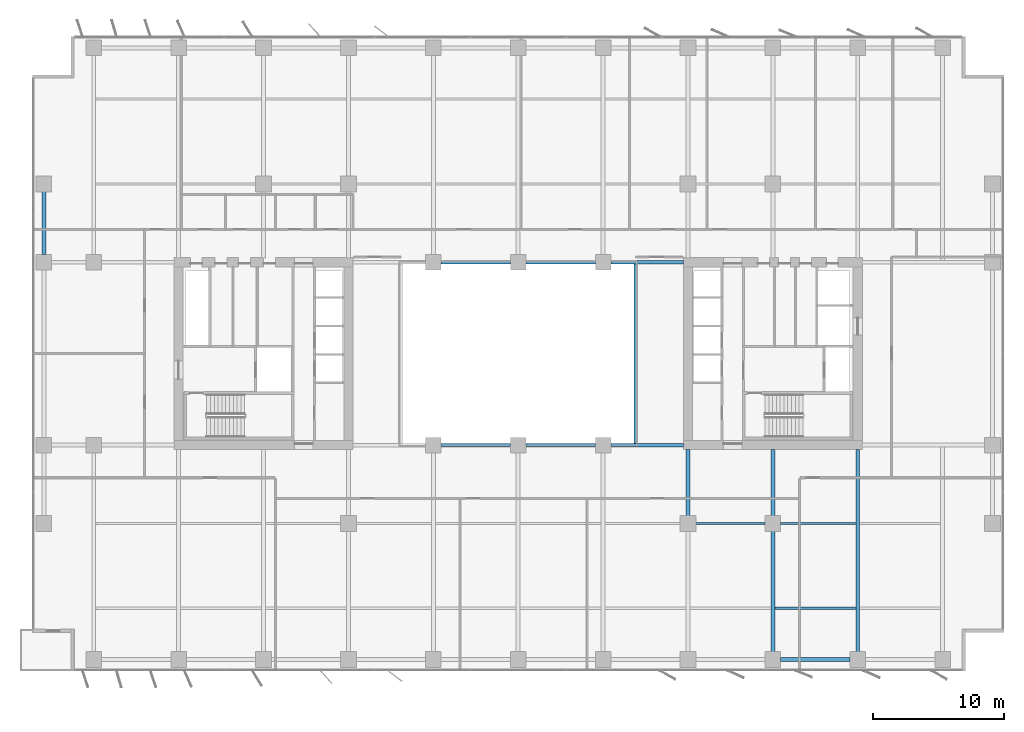
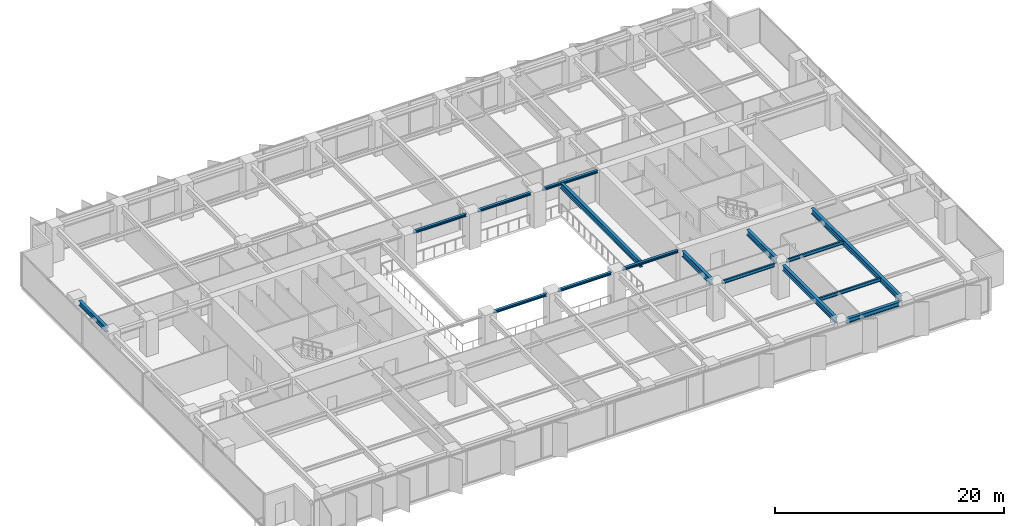
# One storey, part 6 of 20: 16 beams.
"""IFC4 building model written with IfcOpenShell, lengths in metres."""

from ifc_helpers import new_model, si_unit, direction, frame, origin, origin_2d, place, context, subcontext, project, spatial, i_section, extrude, material, material_profile, profile_set, type_object, element, save


model = new_model("IFC4")

# Units and contexts
model_context = context("Model", 3, precision=1e-05, world=origin(), true_north=direction((0.0, 1.0)))
body_context = subcontext(model_context, "Body", "Model", "MODEL_VIEW")
ifc_project = project(units=[si_unit("LENGTHUNIT", "METRE"), si_unit("AREAUNIT", "SQUARE_METRE"), si_unit("VOLUMEUNIT", "CUBIC_METRE"), si_unit("PLANEANGLEUNIT", "RADIAN"), si_unit("MASSUNIT", "GRAM", prefix="KILO")], contexts=[model_context])

# Site, building, storey
site_placement = place(None, origin())
site = spatial("IfcSite", under=ifc_project, at=site_placement, CompositionType="ELEMENT")
building_placement = place(site_placement, origin())
building = spatial("IfcBuilding", under=site, at=building_placement, Name="Putna Gate Headquarters", CompositionType="ELEMENT")
storey_placement = place(building_placement, frame((0.0, 0.0, 105.0)))
storey = spatial("IfcBuildingStorey", under=building, at=storey_placement, Name="L25", CompositionType="ELEMENT", Elevation=105.0)

# Beams
ifc_material = material(Name="Steel S355J2", Category="steel")
ifc_material_profile_1 = material_profile(ifc_material, i_section(OverallWidth=0.260009765625, OverallDepth=0.260009765625, WebThickness=0.010009765625, FlangeThickness=0.017578125, at=origin_2d()), Name="Steel S355J2")
ifc_profile_set_1 = profile_set([ifc_material_profile_1], Name="Steel S355J2")
beam_type_1 = type_object("IfcBeamType", Name="BM-ATRIUM-HEB260", PredefinedType="BEAM", material=ifc_profile_set_1)
for number, where, z_axis, x_axis, name in (
    (1, (33.087890625, 19.0, 3.43505859375), (1.0, 0.0, 0.0), (0.0, 1.0, 0.0), "L25 Atrium Edge Beam AS2"),
    (2, (39.587890625, 19.0, 3.43505859375), (1.0, 0.0, 0.0), (0.0, 1.0, 0.0), "L25 Atrium Edge Beam AS3"),
):
    element("IfcBeam", number, at=place(storey_placement, frame(where, z_axis=z_axis, x_axis=x_axis)), inside=storey, type_object=beam_type_1, Name=name, PredefinedType="BEAM", context=body_context, shape_type="SweptSolid", body=[
        extrude(i_section(OverallWidth=0.260009765625, OverallDepth=0.260009765625, WebThickness=0.010009765625, FlangeThickness=0.017578125, at=origin_2d()), origin(), (0.0, 0.0, 1.0), 5.32421875),
    ])
beam_1_placement = place(storey_placement, frame((46.087890625, 19.0, 3.43505859375), z_axis=(1.0, 0.0, 0.0), x_axis=(0.0, 1.0, 0.0)))
element("IfcBeam", 3, at=beam_1_placement, inside=storey, type_object=beam_type_1, Name="L25 Atrium Edge Beam AS4", PredefinedType="BEAM", context=body_context, shape_type="SweptSolid", body=[
    extrude(i_section(OverallWidth=0.260009765625, OverallDepth=0.260009765625, WebThickness=0.010009765625, FlangeThickness=0.017578125, at=origin_2d()), origin(), (0.0, 0.0, 1.0), 5.5771484375),
])
for number, where, z_axis, x_axis, name in (
    (4, (33.087890625, 33.0, 3.43505859375), (1.0, 0.0, 0.0), (0.0, 1.0, 0.0), "L25 Atrium Edge Beam AN2"),
    (5, (39.587890625, 33.0, 3.43505859375), (1.0, 0.0, 0.0), (0.0, 1.0, 0.0), "L25 Atrium Edge Beam AN3"),
):
    element("IfcBeam", number, at=place(storey_placement, frame(where, z_axis=z_axis, x_axis=x_axis)), inside=storey, type_object=beam_type_1, Name=name, PredefinedType="BEAM", context=body_context, shape_type="SweptSolid", body=[
        extrude(i_section(OverallWidth=0.260009765625, OverallDepth=0.260009765625, WebThickness=0.010009765625, FlangeThickness=0.017578125, at=origin_2d()), origin(), (0.0, 0.0, 1.0), 5.32421875),
    ])
beam_2_placement = place(storey_placement, frame((46.087890625, 33.0, 3.43505859375), z_axis=(1.0, 0.0, 0.0), x_axis=(0.0, 1.0, 0.0)))
element("IfcBeam", 6, at=beam_2_placement, inside=storey, type_object=beam_type_1, Name="L25 Atrium Edge Beam AN4", PredefinedType="BEAM", context=body_context, shape_type="SweptSolid", body=[
    extrude(i_section(OverallWidth=0.260009765625, OverallDepth=0.260009765625, WebThickness=0.010009765625, FlangeThickness=0.017578125, at=origin_2d()), origin(), (0.0, 0.0, 1.0), 5.5771484375),
])
ifc_material_profile_2 = material_profile(ifc_material, i_section(OverallWidth=0.300048828125, OverallDepth=0.60009765625, WebThickness=0.015380859375, FlangeThickness=0.030029296875, at=origin_2d()), Name="Steel S355J2")
ifc_profile_set_2 = profile_set([ifc_material_profile_2], Name="Steel S355J2")
beam_type_2 = type_object("IfcBeamType", Name="BM-GIRD-Z2-HEB600", PredefinedType="USERDEFINED", material=ifc_profile_set_2)
beam_3_placement = place(storey_placement, frame((52.0, 13.587890625, 3.264892578125), z_axis=(0.0, 1.0, 0.0), x_axis=(-1.0, 0.0, 0.0)))
element("IfcBeam", 7, at=beam_3_placement, inside=storey, type_object=beam_type_2, Name="L25 South Primary Girder X52-2", ObjectType="GIRDER", PredefinedType="USERDEFINED", context=body_context, shape_type="SweptSolid", body=[
    extrude(i_section(OverallWidth=0.300048828125, OverallDepth=0.60009765625, WebThickness=0.015380859375, FlangeThickness=0.030029296875, at=origin_2d()), origin(), (0.0, 0.0, 1.0), 5.0771484375),
])
beam_4_placement = place(storey_placement, frame((58.5, 3.16796875, 3.264892578125), z_axis=(0.0, 1.0, 0.0), x_axis=(-1.0, 0.0, 0.0)))
element("IfcBeam", 8, at=beam_4_placement, inside=storey, type_object=beam_type_2, Name="L25 South Primary Girder X58-1", ObjectType="GIRDER", PredefinedType="USERDEFINED", context=body_context, shape_type="SweptSolid", body=[
    extrude(i_section(OverallWidth=0.300048828125, OverallDepth=0.60009765625, WebThickness=0.015380859375, FlangeThickness=0.030029296875, at=origin_2d()), origin(), (0.0, 0.0, 1.0), 9.244140625),
])
beam_5_placement = place(storey_placement, frame((58.5, 13.587890625, 3.264892578125), z_axis=(0.0, 1.0, 0.0), x_axis=(-1.0, 0.0, 0.0)))
element("IfcBeam", 9, at=beam_5_placement, inside=storey, type_object=beam_type_2, Name="L25 South Primary Girder X58-2", ObjectType="GIRDER", PredefinedType="USERDEFINED", context=body_context, shape_type="SweptSolid", body=[
    extrude(i_section(OverallWidth=0.300048828125, OverallDepth=0.60009765625, WebThickness=0.015380859375, FlangeThickness=0.030029296875, at=origin_2d()), origin(), (0.0, 0.0, 1.0), 5.0771484375),
])
beam_6_placement = place(storey_placement, frame((65.0, 3.16796875, 3.264892578125), z_axis=(0.0, 1.0, 0.0), x_axis=(-1.0, 0.0, 0.0)))
element("IfcBeam", 10, at=beam_6_placement, inside=storey, type_object=beam_type_2, Name="L25 South Primary Girder X65", ObjectType="GIRDER", PredefinedType="USERDEFINED", context=body_context, shape_type="SweptSolid", body=[
    extrude(i_section(OverallWidth=0.300048828125, OverallDepth=0.60009765625, WebThickness=0.015380859375, FlangeThickness=0.030029296875, at=origin_2d()), origin(), (0.0, 0.0, 1.0), 15.4970703125),
])
beam_7_placement = place(storey_placement, frame((48.0, 19.010009765625, 3.264892578125), z_axis=(0.0, 1.0, 0.0), x_axis=(-1.0, 0.0, 0.0)))
element("IfcBeam", 11, at=beam_7_placement, inside=storey, type_object=beam_type_2, Name="L25 Atrium Trim Girder AE", ObjectType="GIRDER", PredefinedType="USERDEFINED", context=body_context, shape_type="SweptSolid", body=[
    extrude(i_section(OverallWidth=0.300048828125, OverallDepth=0.60009765625, WebThickness=0.015380859375, FlangeThickness=0.030029296875, at=origin_2d()), origin(), (0.0, 0.0, 1.0), 13.97998046875),
])
ifc_material_profile_3 = material_profile(ifc_material, i_section(OverallWidth=0.169921875, OverallDepth=0.360107421875, WebThickness=0.008056640625, FlangeThickness=0.0126953125, at=origin_2d()), Name="Steel S355J2")
ifc_profile_set_3 = profile_set([ifc_material_profile_3], Name="Steel S355J2")
beam_type_3 = type_object("IfcBeamType", Name="BM-SEC-Z2-IPE360", PredefinedType="BEAM", material=ifc_profile_set_3)
beam_8_placement = place(storey_placement, frame((52.587890625, 13.0, 3.385009765625), z_axis=(1.0, 0.0, 0.0), x_axis=(0.0, 1.0, 0.0)))
element("IfcBeam", 12, at=beam_8_placement, inside=storey, type_object=beam_type_3, Name="L25 South Secondary Beam 8", PredefinedType="BEAM", context=body_context, shape_type="SweptSolid", body=[
    extrude(i_section(OverallWidth=0.169921875, OverallDepth=0.360107421875, WebThickness=0.008056640625, FlangeThickness=0.0126953125, at=origin_2d()), origin(), (0.0, 0.0, 1.0), 5.32421875),
])
beam_9_placement = place(storey_placement, frame((58.654052734375, 6.5, 3.385009765625), z_axis=(1.0, 0.0, 0.0), x_axis=(0.0, 1.0, 0.0)))
element("IfcBeam", 13, at=beam_9_placement, inside=storey, type_object=beam_type_3, Name="L25 South Secondary Beam 9", PredefinedType="BEAM", context=body_context, shape_type="SweptSolid", body=[
    extrude(i_section(OverallWidth=0.169921875, OverallDepth=0.360107421875, WebThickness=0.008056640625, FlangeThickness=0.0126953125, at=origin_2d()), origin(), (0.0, 0.0, 1.0), 6.19189453125),
])
beam_10_placement = place(storey_placement, frame((59.087890625, 13.0, 3.385009765625), z_axis=(1.0, 0.0, 0.0), x_axis=(0.0, 1.0, 0.0)))
element("IfcBeam", 14, at=beam_10_placement, inside=storey, type_object=beam_type_3, Name="L25 South Secondary Beam 9", PredefinedType="BEAM", context=body_context, shape_type="SweptSolid", body=[
    extrude(i_section(OverallWidth=0.169921875, OverallDepth=0.360107421875, WebThickness=0.008056640625, FlangeThickness=0.0126953125, at=origin_2d()), origin(), (0.0, 0.0, 1.0), 5.758056640625),
])
ifc_material_profile_4 = material_profile(ifc_material, i_section(OverallWidth=0.300048828125, OverallDepth=0.489990234375, WebThickness=0.011962890625, FlangeThickness=0.02294921875, at=origin_2d()), Name="Steel S355J2")
ifc_profile_set_4 = profile_set([ifc_material_profile_4], Name="Steel S355J2")
beam_type_4 = type_object("IfcBeamType", Name="BM-SPAN-Z2-HEA500", PredefinedType="SPANDREL", material=ifc_profile_set_4)
beam_11_placement = place(storey_placement, frame((59.087890625, 2.580078125, 3.320068359375), z_axis=(1.0, 0.0, 0.0), x_axis=(0.0, 1.0, 0.0)))
element("IfcBeam", 15, at=beam_11_placement, inside=storey, type_object=beam_type_4, Name="L25 S Perimeter Spandrel 9", PredefinedType="SPANDREL", context=body_context, shape_type="SweptSolid", body=[
    extrude(i_section(OverallWidth=0.300048828125, OverallDepth=0.489990234375, WebThickness=0.011962890625, FlangeThickness=0.02294921875, at=origin_2d()), origin(), (0.0, 0.0, 1.0), 5.32421875),
])
beam_12_placement = place(storey_placement, frame((2.679931640625, 33.587890625, 3.320068359375), z_axis=(0.0, 1.0, 0.0), x_axis=(-1.0, 0.0, 0.0)))
element("IfcBeam", 16, at=beam_12_placement, inside=storey, type_object=beam_type_4, Name="L25 W End Spandrel 3", PredefinedType="SPANDREL", context=body_context, shape_type="SweptSolid", body=[
    extrude(i_section(OverallWidth=0.300048828125, OverallDepth=0.489990234375, WebThickness=0.011962890625, FlangeThickness=0.02294921875, at=origin_2d()), origin(), (0.0, 0.0, 1.0), 4.82421875),
])

save(model, "model.ifc")
